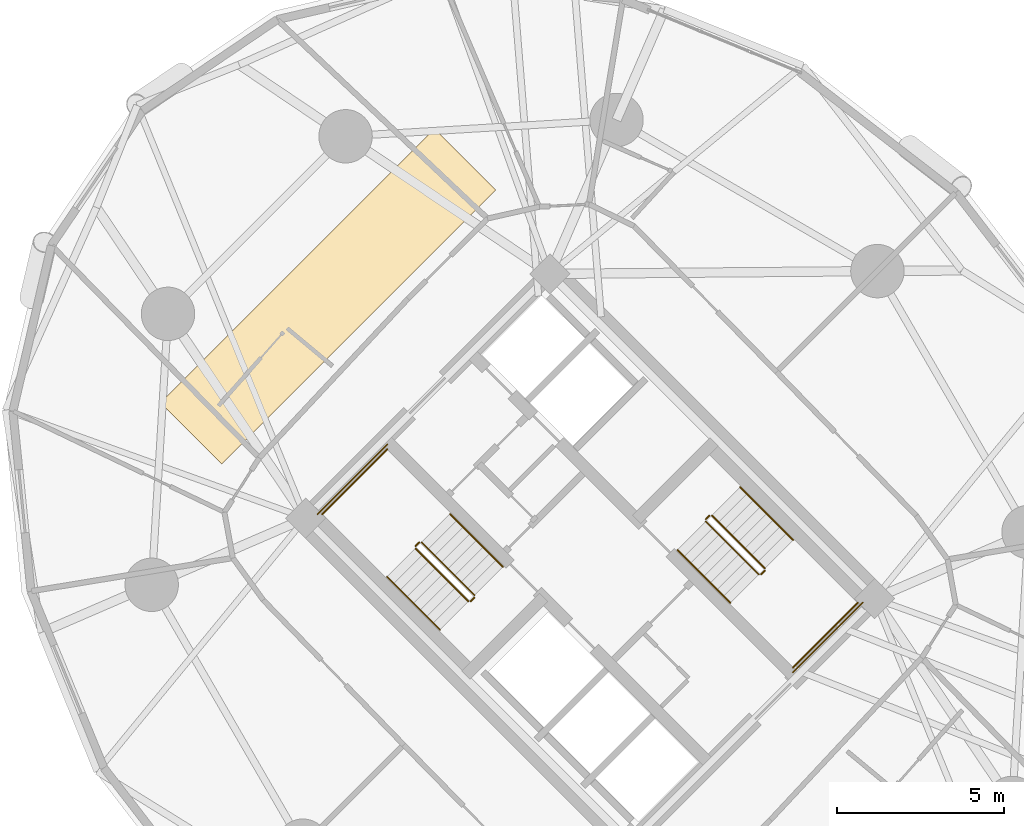
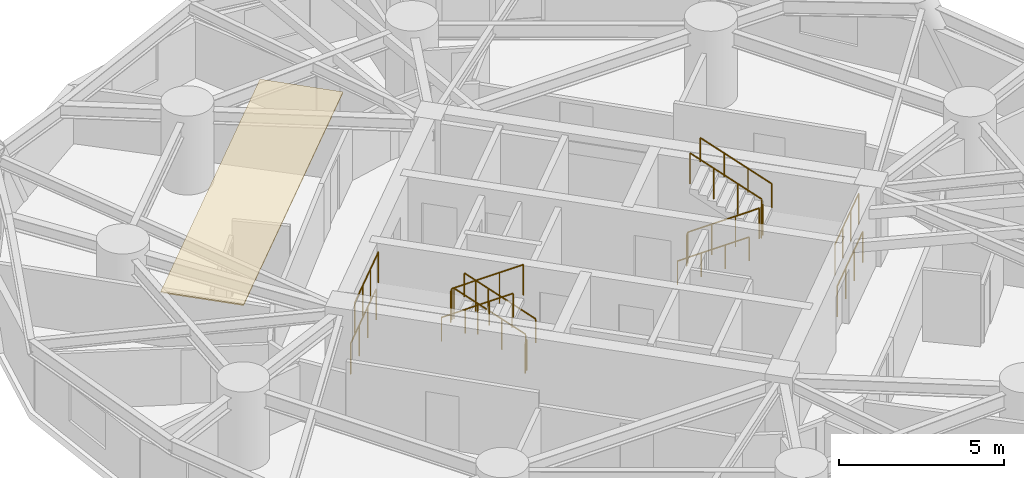
# One storey, part 18 of 18: 16 railings, 1 covering.
"""IFC4 building model written with IfcOpenShell, lengths in metres."""

from ifc_helpers import new_model, si_unit, direction, frame, origin, origin_2d, place, context, subcontext, project, spatial, polyline, circle, outline, extrude, material, layer, layer_set, type_object, element, save


model = new_model("IFC4")

# Units and contexts
model_context = context("Model", 3, precision=1e-05, world=origin(), true_north=direction((0.0, 1.0)))
body_context = subcontext(model_context, "Body", "Model", "MODEL_VIEW")
ifc_project = project(units=[si_unit("LENGTHUNIT", "METRE"), si_unit("AREAUNIT", "SQUARE_METRE"), si_unit("VOLUMEUNIT", "CUBIC_METRE"), si_unit("PLANEANGLEUNIT", "RADIAN"), si_unit("MASSUNIT", "GRAM", prefix="KILO")], contexts=[model_context])

# Site, building, storey
site_placement = place(None, origin())
site = spatial("IfcSite", under=ifc_project, at=site_placement, CompositionType="ELEMENT")
building_placement = place(site_placement, origin())
building = spatial("IfcBuilding", under=site, at=building_placement, Name="Cununo Teusaquillo Station Towers", CompositionType="ELEMENT")
storey_placement = place(building_placement, frame((0.0, 0.0, 36.550048828125)))
storey = spatial("IfcBuildingStorey", under=building, at=storey_placement, Name="L10", CompositionType="ELEMENT", Elevation=36.550048828125)

# Covering
ifc_material_1 = material(Name="Mineral-fibre acoustic suspended ceiling tile", Category="finish")
ifc_layer = layer(ifc_material_1, 0.044921875)
ifc_layer_set = layer_set([ifc_layer], Name="Mineral-fibre acoustic suspended ceiling tile")
covering_type = type_object("IfcCoveringType", Name="COV-CEIL-600", PredefinedType="CEILING", material=ifc_layer_set)
covering_placement = place(storey_placement, frame((0.0, 0.0, 2.60498046875)))
element("IfcCovering", 1, at=covering_placement, inside=storey, type_object=covering_type, Name="L10 Tower B Acoustic Ceiling", PredefinedType="CEILING", context=body_context, shape_type="SweptSolid", body=[
    extrude(outline(polyline([(52.8330078125, 37.369384765625), (54.671630859375, 35.531005859375), (46.468994140625, 27.328369140625), (44.630615234375, 29.1669921875), (52.8330078125, 37.369384765625)])), origin(), (0.0, 0.0, 1.0), 0.044921875),
])

# Railings
ifc_material_2 = material(Name="Steel EN 10025-2 S355J2", Category="steel")
railing_type_1 = type_object("IfcRailingType", Name="RL-INT-GUARD", PredefinedType="GUARDRAIL", material=ifc_material_2)
railing_1_placement = place(storey_placement, frame((54.03515625, 23.39697265625, 0.16162109375)))
element("IfcRailing", 2, at=railing_1_placement, inside=storey, type_object=railing_type_1, Name="L10 ST-T2-1 stair guard 1", PredefinedType="GUARDRAIL", context=body_context, shape_type="SweptSolid", body=[
    extrude(circle(Radius=0.02392578125, at=origin_2d()), frame((0.0, 0.0, 1.1259765625), z_axis=(-0.612361259024, 0.612361259024, 0.500027376144), x_axis=(-0.707106781187, -0.707106781187, 0.0)), (0.0, 0.0, 1.0), 2.586181640625),
    extrude(circle(Radius=0.02099609375, at=origin_2d()), origin(), (0.0, 0.0, 1.0), 1.101806640625),
    extrude(circle(Radius=0.02099609375, at=origin_2d()), frame((-0.52783203125, 0.52783203125, 0.43115234375)), (0.0, 0.0, 1.0), 1.101806640625),
    extrude(circle(Radius=0.02099609375, at=origin_2d()), frame((-1.055908203125, 1.055908203125, 0.862060546875)), (0.0, 0.0, 1.0), 1.101806640625),
    extrude(circle(Radius=0.02099609375, at=origin_2d()), frame((-1.583740234375, 1.583740234375, 1.293212890625)), (0.0, 0.0, 1.0), 1.101806640625),
])
railing_2_placement = place(storey_placement, frame((52.380615234375, 24.980712890625, 1.454833984375)))
element("IfcRailing", 3, at=railing_2_placement, inside=storey, type_object=railing_type_1, Name="L10 ST-T2-1 stair guard 2", PredefinedType="GUARDRAIL", context=body_context, shape_type="SweptSolid", body=[
    extrude(circle(Radius=0.02392578125, at=origin_2d()), frame((0.0, 0.0, 1.1259765625), z_axis=(-0.7078691598, -0.706343579714, 0.0), x_axis=(0.706343579714, -0.7078691598, 0.0)), (0.0, 0.0, 1.0), 0.159912109375),
    extrude(circle(Radius=0.02099609375, at=origin_2d()), origin(), (0.0, 0.0, 1.0), 1.101806640625),
    extrude(circle(Radius=0.02099609375, at=origin_2d()), frame((-0.11328125, -0.113037109375, 0.0)), (0.0, 0.0, 1.0), 1.101806640625),
])
railing_3_placement = place(storey_placement, frame((51.426025390625, 27.77392578125, 1.454833984375)))
element("IfcRailing", 4, at=railing_3_placement, inside=storey, type_object=railing_type_1, Name="L10 ST-T2-1 stair guard 3", PredefinedType="GUARDRAIL", context=body_context, shape_type="SweptSolid", body=[
    extrude(circle(Radius=0.02392578125, at=origin_2d()), frame((0.0, 0.0, 1.1259765625), z_axis=(-0.707106781187, -0.707106781187, 0.0), x_axis=(0.707106781187, -0.707106781187, 0.0)), (0.0, 0.0, 1.0), 2.760009765625),
    extrude(circle(Radius=0.02099609375, at=origin_2d()), origin(), (0.0, 0.0, 1.0), 1.101806640625),
    extrude(circle(Radius=0.02099609375, at=origin_2d()), frame((-0.650634765625, -0.650634765625, 0.0)), (0.0, 0.0, 1.0), 1.101806640625),
    extrude(circle(Radius=0.02099609375, at=origin_2d()), frame((-1.301025390625, -1.301025390625, 0.0)), (0.0, 0.0, 1.0), 1.101806640625),
    extrude(circle(Radius=0.02099609375, at=origin_2d()), frame((-1.95166015625, -1.95166015625, 0.0)), (0.0, 0.0, 1.0), 1.101806640625),
])
railing_4_placement = place(storey_placement, frame((52.267333984375, 24.796875, 1.61669921875)))
element("IfcRailing", 5, at=railing_4_placement, inside=storey, type_object=railing_type_1, Name="L10 ST-T2-1 stair guard 4", PredefinedType="GUARDRAIL", context=body_context, shape_type="SweptSolid", body=[
    extrude(circle(Radius=0.02392578125, at=origin_2d()), frame((0.0, 0.0, 1.1259765625), z_axis=(0.612420254088, -0.612325861324, 0.499998471934), x_axis=(0.707052281454, 0.707161276719, 0.0)), (0.0, 0.0, 1.0), 2.58642578125),
    extrude(circle(Radius=0.02099609375, at=origin_2d()), origin(), (0.0, 0.0, 1.0), 1.101806640625),
    extrude(circle(Radius=0.02099609375, at=origin_2d()), frame((0.528076171875, -0.52783203125, 0.43115234375)), (0.0, 0.0, 1.0), 1.101806640625),
    extrude(circle(Radius=0.02099609375, at=origin_2d()), frame((1.055908203125, -1.055908203125, 0.862060546875)), (0.0, 0.0, 1.0), 1.101806640625),
    extrude(circle(Radius=0.02099609375, at=origin_2d()), frame((1.583984375, -1.583740234375, 1.293212890625)), (0.0, 0.0, 1.0), 1.101806640625),
])
railing_5_placement = place(storey_placement, frame((54.03515625, 23.326171875, 0.0)))
element("IfcRailing", 6, at=railing_5_placement, inside=storey, type_object=railing_type_1, Name="L10 ST-T2-1 stair guard 5", PredefinedType="GUARDRAIL", context=body_context, shape_type="SweptSolid", body=[
    extrude(circle(Radius=0.02392578125, at=origin_2d()), frame((0.0, 0.0, 1.1259765625), z_axis=(-0.707106781187, -0.707106781187, 0.0), x_axis=(0.707106781187, -0.707106781187, 0.0)), (0.0, 0.0, 1.0), 0.159912109375),
    extrude(circle(Radius=0.02099609375, at=origin_2d()), origin(), (0.0, 0.0, 1.0), 1.101806640625),
    extrude(circle(Radius=0.02099609375, at=origin_2d()), frame((-0.113037109375, -0.113037109375, 0.0)), (0.0, 0.0, 1.0), 1.101806640625),
])
railing_6_placement = place(storey_placement, frame((51.426025390625, 27.915283203125, 0.0)))
element("IfcRailing", 7, at=railing_6_placement, inside=storey, type_object=railing_type_1, Name="L10 ST-T2-1 stair guard 6", PredefinedType="GUARDRAIL", context=body_context, shape_type="SweptSolid", body=[
    extrude(circle(Radius=0.02392578125, at=origin_2d()), frame((0.0, 0.0, 1.1259765625), z_axis=(-0.707106781187, -0.707106781187, 0.0), x_axis=(0.707106781187, -0.707106781187, 0.0)), (0.0, 0.0, 1.0), 2.9599609375),
    extrude(circle(Radius=0.02099609375, at=origin_2d()), origin(), (0.0, 0.0, 1.0), 1.101806640625),
    extrude(circle(Radius=0.02099609375, at=origin_2d()), frame((-0.69775390625, -0.69775390625, 0.0)), (0.0, 0.0, 1.0), 1.101806640625),
    extrude(circle(Radius=0.02099609375, at=origin_2d()), frame((-1.395263671875, -1.395263671875, 0.0)), (0.0, 0.0, 1.0), 1.101806640625),
    extrude(circle(Radius=0.02099609375, at=origin_2d()), frame((-2.093017578125, -2.093017578125, 0.0)), (0.0, 0.0, 1.0), 1.101806640625),
])
railing_7_placement = place(storey_placement, frame((60.96484375, 25.60302734375, 0.16162109375)))
element("IfcRailing", 8, at=railing_7_placement, inside=storey, type_object=railing_type_1, Name="L10 ST-T2-2 stair guard 1", PredefinedType="GUARDRAIL", context=body_context, shape_type="SweptSolid", body=[
    extrude(circle(Radius=0.02392578125, at=origin_2d()), frame((0.0, 0.0, 1.1259765625), z_axis=(0.612361259024, -0.612361259024, 0.500027376144), x_axis=(0.707106781187, 0.707106781187, 0.0)), (0.0, 0.0, 1.0), 2.586181640625),
    extrude(circle(Radius=0.02099609375, at=origin_2d()), origin(), (0.0, 0.0, 1.0), 1.101806640625),
    extrude(circle(Radius=0.02099609375, at=origin_2d()), frame((0.52783203125, -0.52783203125, 0.43115234375)), (0.0, 0.0, 1.0), 1.101806640625),
    extrude(circle(Radius=0.02099609375, at=origin_2d()), frame((1.055908203125, -1.055908203125, 0.862060546875)), (0.0, 0.0, 1.0), 1.101806640625),
    extrude(circle(Radius=0.02099609375, at=origin_2d()), frame((1.583740234375, -1.583740234375, 1.293212890625)), (0.0, 0.0, 1.0), 1.101806640625),
])
railing_8_placement = place(storey_placement, frame((62.619384765625, 24.019287109375, 1.454833984375)))
element("IfcRailing", 9, at=railing_8_placement, inside=storey, type_object=railing_type_1, Name="L10 ST-T2-2 stair guard 2", PredefinedType="GUARDRAIL", context=body_context, shape_type="SweptSolid", body=[
    extrude(circle(Radius=0.02392578125, at=origin_2d()), frame((0.0, 0.0, 1.1259765625), z_axis=(0.7078691598, 0.706343579714, 0.0), x_axis=(-0.706343579714, 0.7078691598, 0.0)), (0.0, 0.0, 1.0), 0.159912109375),
    extrude(circle(Radius=0.02099609375, at=origin_2d()), origin(), (0.0, 0.0, 1.0), 1.101806640625),
    extrude(circle(Radius=0.02099609375, at=origin_2d()), frame((0.11328125, 0.113037109375, 0.0)), (0.0, 0.0, 1.0), 1.101806640625),
])
railing_9_placement = place(storey_placement, frame((63.573974609375, 21.22607421875, 1.454833984375)))
element("IfcRailing", 10, at=railing_9_placement, inside=storey, type_object=railing_type_1, Name="L10 ST-T2-2 stair guard 3", PredefinedType="GUARDRAIL", context=body_context, shape_type="SweptSolid", body=[
    extrude(circle(Radius=0.02392578125, at=origin_2d()), frame((0.0, 0.0, 1.1259765625), z_axis=(0.707106781187, 0.707106781187, 0.0), x_axis=(-0.707106781187, 0.707106781187, 0.0)), (0.0, 0.0, 1.0), 2.760009765625),
    extrude(circle(Radius=0.02099609375, at=origin_2d()), origin(), (0.0, 0.0, 1.0), 1.101806640625),
    extrude(circle(Radius=0.02099609375, at=origin_2d()), frame((0.650634765625, 0.650634765625, 0.0)), (0.0, 0.0, 1.0), 1.101806640625),
    extrude(circle(Radius=0.02099609375, at=origin_2d()), frame((1.301025390625, 1.301025390625, 0.0)), (0.0, 0.0, 1.0), 1.101806640625),
    extrude(circle(Radius=0.02099609375, at=origin_2d()), frame((1.95166015625, 1.95166015625, 0.0)), (0.0, 0.0, 1.0), 1.101806640625),
])
railing_10_placement = place(storey_placement, frame((62.732666015625, 24.203125, 1.61669921875)))
element("IfcRailing", 11, at=railing_10_placement, inside=storey, type_object=railing_type_1, Name="L10 ST-T2-2 stair guard 4", PredefinedType="GUARDRAIL", context=body_context, shape_type="SweptSolid", body=[
    extrude(circle(Radius=0.02392578125, at=origin_2d()), frame((0.0, 0.0, 1.1259765625), z_axis=(-0.612420254088, 0.612325861324, 0.499998471934), x_axis=(-0.707052281454, -0.707161276719, 0.0)), (0.0, 0.0, 1.0), 2.58642578125),
    extrude(circle(Radius=0.02099609375, at=origin_2d()), origin(), (0.0, 0.0, 1.0), 1.101806640625),
    extrude(circle(Radius=0.02099609375, at=origin_2d()), frame((-0.528076171875, 0.52783203125, 0.43115234375)), (0.0, 0.0, 1.0), 1.101806640625),
    extrude(circle(Radius=0.02099609375, at=origin_2d()), frame((-1.055908203125, 1.055908203125, 0.862060546875)), (0.0, 0.0, 1.0), 1.101806640625),
    extrude(circle(Radius=0.02099609375, at=origin_2d()), frame((-1.583984375, 1.583740234375, 1.293212890625)), (0.0, 0.0, 1.0), 1.101806640625),
])
railing_11_placement = place(storey_placement, frame((60.96484375, 25.673828125, 0.0)))
element("IfcRailing", 12, at=railing_11_placement, inside=storey, type_object=railing_type_1, Name="L10 ST-T2-2 stair guard 5", PredefinedType="GUARDRAIL", context=body_context, shape_type="SweptSolid", body=[
    extrude(circle(Radius=0.02392578125, at=origin_2d()), frame((0.0, 0.0, 1.1259765625), z_axis=(0.707106781187, 0.707106781187, 0.0), x_axis=(-0.707106781187, 0.707106781187, 0.0)), (0.0, 0.0, 1.0), 0.159912109375),
    extrude(circle(Radius=0.02099609375, at=origin_2d()), origin(), (0.0, 0.0, 1.0), 1.101806640625),
    extrude(circle(Radius=0.02099609375, at=origin_2d()), frame((0.113037109375, 0.113037109375, 0.0)), (0.0, 0.0, 1.0), 1.101806640625),
])
railing_12_placement = place(storey_placement, frame((63.573974609375, 21.084716796875, 0.0)))
element("IfcRailing", 13, at=railing_12_placement, inside=storey, type_object=railing_type_1, Name="L10 ST-T2-2 stair guard 6", PredefinedType="GUARDRAIL", context=body_context, shape_type="SweptSolid", body=[
    extrude(circle(Radius=0.02392578125, at=origin_2d()), frame((0.0, 0.0, 1.1259765625), z_axis=(0.707106781187, 0.707106781187, 0.0), x_axis=(-0.707106781187, 0.707106781187, 0.0)), (0.0, 0.0, 1.0), 2.9599609375),
    extrude(circle(Radius=0.02099609375, at=origin_2d()), origin(), (0.0, 0.0, 1.0), 1.101806640625),
    extrude(circle(Radius=0.02099609375, at=origin_2d()), frame((0.69775390625, 0.69775390625, 0.0)), (0.0, 0.0, 1.0), 1.101806640625),
    extrude(circle(Radius=0.02099609375, at=origin_2d()), frame((1.395263671875, 1.395263671875, 0.0)), (0.0, 0.0, 1.0), 1.101806640625),
    extrude(circle(Radius=0.02099609375, at=origin_2d()), frame((2.093017578125, 2.093017578125, 0.0)), (0.0, 0.0, 1.0), 1.101806640625),
])
ifc_material_3 = material(Name="Steel EN 10025-2 S355J2", Category="steel")
railing_type_2 = type_object("IfcRailingType", Name="RL-INT-HRAIL", PredefinedType="HANDRAIL", material=ifc_material_3)
railing_13_placement = place(storey_placement, frame((54.8837890625, 24.245361328125, 0.16162109375)))
element("IfcRailing", 14, at=railing_13_placement, inside=storey, type_object=railing_type_2, Name="L10 ST-T2-1 stair handrail 1", PredefinedType="HANDRAIL", context=body_context, shape_type="SweptSolid", body=[
    extrude(circle(Radius=0.02392578125, at=origin_2d()), frame((0.0, 0.0, 0.8759765625), z_axis=(-0.612384857071, 0.612384857071, 0.499969572735), x_axis=(-0.707106781187, -0.707106781187, 0.0)), (0.0, 0.0, 1.0), 2.586669921875),
    extrude(circle(Radius=0.02099609375, at=origin_2d()), origin(), (0.0, 0.0, 1.0), 0.851806640625),
    extrude(circle(Radius=0.02099609375, at=origin_2d()), frame((-0.528076171875, 0.528076171875, 0.43115234375)), (0.0, 0.0, 1.0), 0.851806640625),
    extrude(circle(Radius=0.02099609375, at=origin_2d()), frame((-1.055908203125, 1.055908203125, 0.862060546875)), (0.0, 0.0, 1.0), 0.851806640625),
    extrude(circle(Radius=0.02099609375, at=origin_2d()), frame((-1.583984375, 1.583984375, 1.293212890625)), (0.0, 0.0, 1.0), 0.851806640625),
])
for number, where, name in (
    (15, (51.4189453125, 23.948486328125, 1.61669921875), "L10 ST-T2-1 stair handrail 2"),
    (16, (60.1162109375, 24.754638671875, 0.16162109375), "L10 ST-T2-2 stair handrail 1"),
):
    element("IfcRailing", number, at=place(storey_placement, frame(where)), inside=storey, type_object=railing_type_2, Name=name, PredefinedType="HANDRAIL", context=body_context, shape_type="SweptSolid", body=[
        extrude(circle(Radius=0.02392578125, at=origin_2d()), frame((0.0, 0.0, 0.8759765625), z_axis=(0.612384857071, -0.612384857071, 0.499969572735), x_axis=(0.707106781187, 0.707106781187, 0.0)), (0.0, 0.0, 1.0), 2.586669921875),
        extrude(circle(Radius=0.02099609375, at=origin_2d()), origin(), (0.0, 0.0, 1.0), 0.851806640625),
        extrude(circle(Radius=0.02099609375, at=origin_2d()), frame((0.528076171875, -0.528076171875, 0.43115234375)), (0.0, 0.0, 1.0), 0.851806640625),
        extrude(circle(Radius=0.02099609375, at=origin_2d()), frame((1.055908203125, -1.055908203125, 0.862060546875)), (0.0, 0.0, 1.0), 0.851806640625),
        extrude(circle(Radius=0.02099609375, at=origin_2d()), frame((1.583984375, -1.583984375, 1.293212890625)), (0.0, 0.0, 1.0), 0.851806640625),
    ])
railing_14_placement = place(storey_placement, frame((63.5810546875, 25.051513671875, 1.61669921875)))
element("IfcRailing", 17, at=railing_14_placement, inside=storey, type_object=railing_type_2, Name="L10 ST-T2-2 stair handrail 2", PredefinedType="HANDRAIL", context=body_context, shape_type="SweptSolid", body=[
    extrude(circle(Radius=0.02392578125, at=origin_2d()), frame((0.0, 0.0, 0.8759765625), z_axis=(-0.612384857071, 0.612384857071, 0.499969572735), x_axis=(-0.707106781187, -0.707106781187, 0.0)), (0.0, 0.0, 1.0), 2.586669921875),
    extrude(circle(Radius=0.02099609375, at=origin_2d()), origin(), (0.0, 0.0, 1.0), 0.851806640625),
    extrude(circle(Radius=0.02099609375, at=origin_2d()), frame((-0.528076171875, 0.528076171875, 0.43115234375)), (0.0, 0.0, 1.0), 0.851806640625),
    extrude(circle(Radius=0.02099609375, at=origin_2d()), frame((-1.055908203125, 1.055908203125, 0.862060546875)), (0.0, 0.0, 1.0), 0.851806640625),
    extrude(circle(Radius=0.02099609375, at=origin_2d()), frame((-1.583984375, 1.583984375, 1.293212890625)), (0.0, 0.0, 1.0), 0.851806640625),
])

save(model, "model.ifc")
